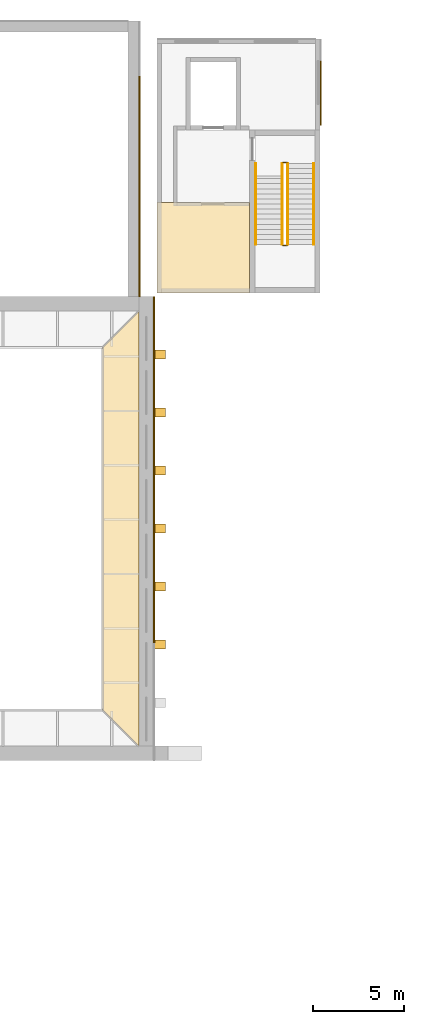
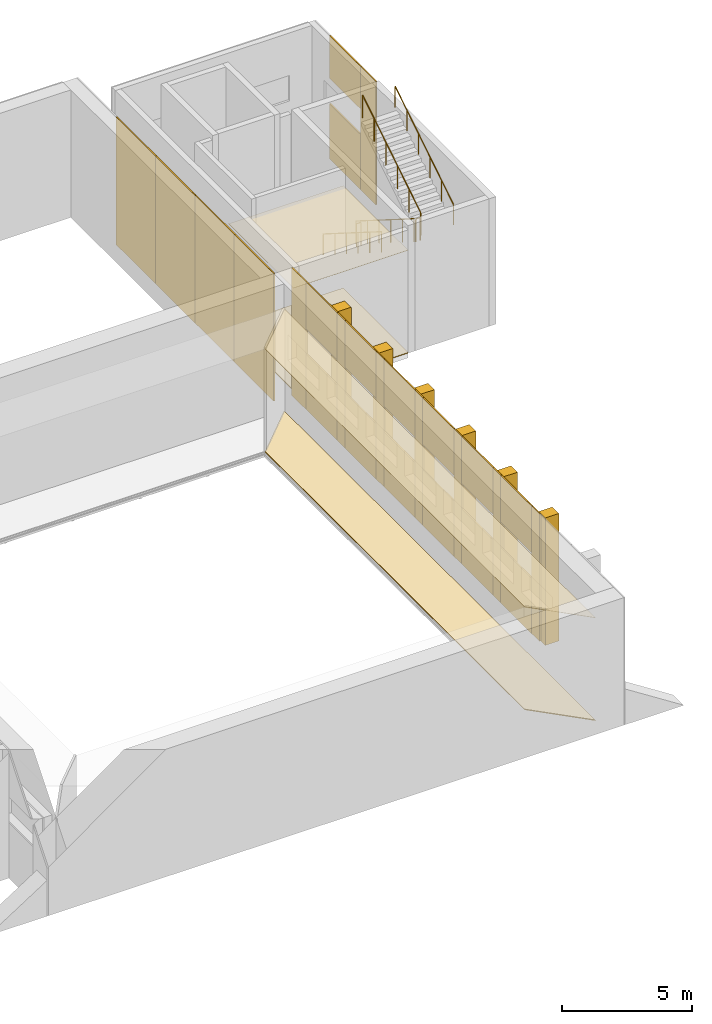
# One storey, part 21 of 22: 36 coverings, 6 railings.
"""IFC4 building model written with IfcOpenShell, lengths in metres."""

from ifc_helpers import new_model, si_unit, direction, frame, origin, origin_2d, place, context, subcontext, project, spatial, polyline, rectangle, circle, outline, extrude, material, layer, layer_set, type_object, element, save


model = new_model("IFC4")

# Units and contexts
model_context = context("Model", 3, precision=1e-05, world=origin(), true_north=direction((0.0, 1.0)))
body_context = subcontext(model_context, "Body", "Model", "MODEL_VIEW")
ifc_project = project(units=[si_unit("LENGTHUNIT", "METRE"), si_unit("AREAUNIT", "SQUARE_METRE"), si_unit("VOLUMEUNIT", "CUBIC_METRE"), si_unit("PLANEANGLEUNIT", "RADIAN"), si_unit("MASSUNIT", "GRAM", prefix="KILO")], contexts=[model_context])

# Site, building, storey
site_placement = place(None, origin())
site = spatial("IfcSite", under=ifc_project, at=site_placement, CompositionType="ELEMENT")
building_placement = place(site_placement, origin())
building = spatial("IfcBuilding", under=site, at=building_placement, Name="Lunette Opera House", CompositionType="ELEMENT")
storey_placement = place(building_placement, frame((0.0, 0.0, 28.0)))
storey = spatial("IfcBuildingStorey", under=building, at=storey_placement, Name="L05", CompositionType="ELEMENT", Elevation=28.0)

# Railings
ifc_material_1 = material(Name="Steel S355", Category="steel")
railing_type_1 = type_object("IfcRailingType", Name="STAIR GUARD 1100", PredefinedType="GUARDRAIL", material=ifc_material_1)
railing_1_placement = place(storey_placement, frame((115.89990234375, 128.14990234375, 0.176513671875)))
element("IfcRailing", 1, at=railing_1_placement, inside=storey, type_object=railing_type_1, Name="L05 ST12 stair guard 1", PredefinedType="GUARDRAIL", context=body_context, shape_type="SweptSolid", body=[
    extrude(circle(Radius=0.02392578125, at=origin_2d()), frame((0.0, 0.0, 1.076171875), z_axis=(0.0, -0.845997938375, 0.533186166611), x_axis=(1.0, 0.0, 0.0)), (0.0, 0.0, 1.0), 5.29541015625),
    extrude(circle(Radius=0.02099609375, at=origin_2d()), origin(), (0.0, 0.0, 1.0), 1.052001953125),
    extrude(circle(Radius=0.02099609375, at=origin_2d()), frame((0.0, -0.89599609375, 0.564697265625)), (0.0, 0.0, 1.0), 1.052001953125),
    extrude(circle(Radius=0.02099609375, at=origin_2d()), frame((0.0, -1.7919921875, 1.12939453125)), (0.0, 0.0, 1.0), 1.052001953125),
    extrude(circle(Radius=0.02099609375, at=origin_2d()), frame((0.0, -2.68798828125, 1.694091796875)), (0.0, 0.0, 1.0), 1.052001953125),
    extrude(circle(Radius=0.02099609375, at=origin_2d()), frame((0.0, -3.583984375, 2.2587890625)), (0.0, 0.0, 1.0), 1.052001953125),
    extrude(circle(Radius=0.02099609375, at=origin_2d()), frame((0.0, -4.47998046875, 2.823486328125)), (0.0, 0.0, 1.0), 1.052001953125),
])
railing_2_placement = place(storey_placement, frame((115.949951171875, 123.6201171875, 3.0)))
element("IfcRailing", 2, at=railing_2_placement, inside=storey, type_object=railing_type_1, Name="L05 ST12 stair guard 2", PredefinedType="GUARDRAIL", context=body_context, shape_type="SweptSolid", body=[
    extrude(circle(Radius=0.02392578125, at=origin_2d()), frame((0.0, 0.0, 1.076171875), z_axis=(1.0, 0.0, 0.0), x_axis=(0.0, 1.0, 0.0)), (0.0, 0.0, 1.0), 0.199951171875),
    extrude(circle(Radius=0.02099609375, at=origin_2d()), origin(), (0.0, 0.0, 1.0), 1.052001953125),
    extrude(circle(Radius=0.02099609375, at=origin_2d()), frame((0.199951171875, 0.0, 0.0)), (0.0, 0.0, 1.0), 1.052001953125),
])
railing_3_placement = place(storey_placement, frame((116.199951171875, 123.669921875, 3.176513671875)))
element("IfcRailing", 3, at=railing_3_placement, inside=storey, type_object=railing_type_1, Name="L05 ST12 stair guard 3", PredefinedType="GUARDRAIL", context=body_context, shape_type="SweptSolid", body=[
    extrude(circle(Radius=0.02392578125, at=origin_2d()), frame((0.0, 0.0, 1.076171875), z_axis=(0.0, 0.845997938375, 0.533186166611), x_axis=(-1.0, 0.0, 0.0)), (0.0, 0.0, 1.0), 5.29541015625),
    extrude(circle(Radius=0.02099609375, at=origin_2d()), origin(), (0.0, 0.0, 1.0), 1.052001953125),
    extrude(circle(Radius=0.02099609375, at=origin_2d()), frame((0.0, 0.89599609375, 0.564697265625)), (0.0, 0.0, 1.0), 1.052001953125),
    extrude(circle(Radius=0.02099609375, at=origin_2d()), frame((0.0, 1.7919921875, 1.12939453125)), (0.0, 0.0, 1.0), 1.052001953125),
    extrude(circle(Radius=0.02099609375, at=origin_2d()), frame((0.0, 2.68798828125, 1.694091796875)), (0.0, 0.0, 1.0), 1.052001953125),
    extrude(circle(Radius=0.02099609375, at=origin_2d()), frame((0.0, 3.583984375, 2.2587890625)), (0.0, 0.0, 1.0), 1.052001953125),
    extrude(circle(Radius=0.02099609375, at=origin_2d()), frame((0.0, 4.47998046875, 2.823486328125)), (0.0, 0.0, 1.0), 1.052001953125),
])
railing_4_placement = place(storey_placement, frame((115.949951171875, 128.199951171875, 0.0)))
element("IfcRailing", 4, at=railing_4_placement, inside=storey, type_object=railing_type_1, Name="L05 ST12 stair guard 4", PredefinedType="GUARDRAIL", context=body_context, shape_type="SweptSolid", body=[
    extrude(circle(Radius=0.02392578125, at=origin_2d()), frame((0.0, 0.0, 1.076171875), z_axis=(1.0, 0.0, 0.0), x_axis=(0.0, 1.0, 0.0)), (0.0, 0.0, 1.0), 0.199951171875),
    extrude(circle(Radius=0.02099609375, at=origin_2d()), origin(), (0.0, 0.0, 1.0), 1.052001953125),
    extrude(circle(Radius=0.02099609375, at=origin_2d()), frame((0.199951171875, 0.0, 0.0)), (0.0, 0.0, 1.0), 1.052001953125),
])
ifc_material_2 = material(Name="Steel S355", Category="steel")
railing_type_2 = type_object("IfcRailingType", Name="STAIR HANDRAIL 1000", PredefinedType="HANDRAIL", material=ifc_material_2)
railing_5_placement = place(storey_placement, frame((114.449951171875, 128.14990234375, 0.176513671875)))
element("IfcRailing", 5, at=railing_5_placement, inside=storey, type_object=railing_type_2, Name="L05 ST12 stair handrail 1", PredefinedType="HANDRAIL", context=body_context, shape_type="SweptSolid", body=[
    extrude(circle(Radius=0.02392578125, at=origin_2d()), frame((0.0, 0.0, 0.97607421875), z_axis=(0.0, -0.845997938375, 0.533186166611), x_axis=(1.0, 0.0, 0.0)), (0.0, 0.0, 1.0), 5.29541015625),
    extrude(circle(Radius=0.02099609375, at=origin_2d()), origin(), (0.0, 0.0, 1.0), 0.951904296875),
    extrude(circle(Radius=0.02099609375, at=origin_2d()), frame((0.0, -0.89599609375, 0.564697265625)), (0.0, 0.0, 1.0), 0.951904296875),
    extrude(circle(Radius=0.02099609375, at=origin_2d()), frame((0.0, -1.7919921875, 1.12939453125)), (0.0, 0.0, 1.0), 0.951904296875),
    extrude(circle(Radius=0.02099609375, at=origin_2d()), frame((0.0, -2.68798828125, 1.694091796875)), (0.0, 0.0, 1.0), 0.951904296875),
    extrude(circle(Radius=0.02099609375, at=origin_2d()), frame((0.0, -3.583984375, 2.2587890625)), (0.0, 0.0, 1.0), 0.951904296875),
    extrude(circle(Radius=0.02099609375, at=origin_2d()), frame((0.0, -4.47998046875, 2.823486328125)), (0.0, 0.0, 1.0), 0.951904296875),
])
railing_6_placement = place(storey_placement, frame((117.64990234375, 123.669921875, 3.176513671875)))
element("IfcRailing", 6, at=railing_6_placement, inside=storey, type_object=railing_type_2, Name="L05 ST12 stair handrail 2", PredefinedType="HANDRAIL", context=body_context, shape_type="SweptSolid", body=[
    extrude(circle(Radius=0.02392578125, at=origin_2d()), frame((0.0, 0.0, 0.97607421875), z_axis=(0.0, 0.845997938375, 0.533186166611), x_axis=(-1.0, 0.0, 0.0)), (0.0, 0.0, 1.0), 5.29541015625),
    extrude(circle(Radius=0.02099609375, at=origin_2d()), origin(), (0.0, 0.0, 1.0), 0.951904296875),
    extrude(circle(Radius=0.02099609375, at=origin_2d()), frame((0.0, 0.89599609375, 0.564697265625)), (0.0, 0.0, 1.0), 0.951904296875),
    extrude(circle(Radius=0.02099609375, at=origin_2d()), frame((0.0, 1.7919921875, 1.12939453125)), (0.0, 0.0, 1.0), 0.951904296875),
    extrude(circle(Radius=0.02099609375, at=origin_2d()), frame((0.0, 2.68798828125, 1.694091796875)), (0.0, 0.0, 1.0), 0.951904296875),
    extrude(circle(Radius=0.02099609375, at=origin_2d()), frame((0.0, 3.583984375, 2.2587890625)), (0.0, 0.0, 1.0), 0.951904296875),
    extrude(circle(Radius=0.02099609375, at=origin_2d()), frame((0.0, 4.47998046875, 2.823486328125)), (0.0, 0.0, 1.0), 0.951904296875),
])

# Coverings
ifc_material_3 = material(Name="Aluminium standing seam cladding", Category="aluminium")
ifc_layer_1 = layer(ifc_material_3, 0.06005859375)
ifc_layer_set_1 = layer_set([ifc_layer_1], Name="Aluminium standing seam cladding")
covering_type_1 = type_object("IfcCoveringType", Name="STANDING SEAM CLADDING 60", PredefinedType="CLADDING", material=ifc_layer_set_1)
covering_1_placement = place(storey_placement, frame((108.830078125, 102.0, 0.0), z_axis=(0.0, 0.0, 1.0), x_axis=(0.0, 1.0, 0.0)))
element("IfcCovering", 7, at=covering_1_placement, inside=storey, type_object=covering_type_1, Name="Standing seam cladding WE L05 40", PredefinedType="CLADDING", context=body_context, shape_type="SweptSolid", body=[
    extrude(rectangle(XDim=0.60009765625, YDim=0.06005859375, at=origin_2d()), origin(), (0.0, 0.0, 1.0), 6.0),
])
covering_2_placement = place(storey_placement, frame((108.830078125, 103.5, 0.0), z_axis=(0.0, 0.0, 1.0), x_axis=(0.0, 1.0, 0.0)))
element("IfcCovering", 8, at=covering_2_placement, inside=storey, type_object=covering_type_1, Name="Standing seam cladding WE L05 50", PredefinedType="CLADDING", context=body_context, shape_type="SweptSolid", body=[
    extrude(rectangle(XDim=2.39990234375, YDim=0.06005859375, at=origin_2d()), origin(), (0.0, 0.0, 1.0), 2.60009765625),
])
covering_3_placement = place(storey_placement, frame((108.830078125, 103.5, 3.7998046875), z_axis=(0.0, 0.0, 1.0), x_axis=(0.0, 1.0, 0.0)))
element("IfcCovering", 9, at=covering_3_placement, inside=storey, type_object=covering_type_1, Name="Standing seam cladding WE L05 51", PredefinedType="CLADDING", context=body_context, shape_type="SweptSolid", body=[
    extrude(rectangle(XDim=2.39990234375, YDim=0.06005859375, at=origin_2d()), origin(), (0.0, 0.0, 1.0), 2.199951171875),
])
covering_4_placement = place(storey_placement, frame((108.830078125, 105.0, 0.0), z_axis=(0.0, 0.0, 1.0), x_axis=(0.0, 1.0, 0.0)))
element("IfcCovering", 10, at=covering_4_placement, inside=storey, type_object=covering_type_1, Name="Standing seam cladding WE L05 60", PredefinedType="CLADDING", context=body_context, shape_type="SweptSolid", body=[
    extrude(rectangle(XDim=0.60009765625, YDim=0.06005859375, at=origin_2d()), origin(), (0.0, 0.0, 1.0), 6.0),
])
covering_5_placement = place(storey_placement, frame((108.830078125, 106.5, 0.0), z_axis=(0.0, 0.0, 1.0), x_axis=(0.0, 1.0, 0.0)))
element("IfcCovering", 11, at=covering_5_placement, inside=storey, type_object=covering_type_1, Name="Standing seam cladding WE L05 70", PredefinedType="CLADDING", context=body_context, shape_type="SweptSolid", body=[
    extrude(rectangle(XDim=2.39990234375, YDim=0.06005859375, at=origin_2d()), origin(), (0.0, 0.0, 1.0), 2.60009765625),
])
covering_6_placement = place(storey_placement, frame((108.830078125, 106.5, 3.7998046875), z_axis=(0.0, 0.0, 1.0), x_axis=(0.0, 1.0, 0.0)))
element("IfcCovering", 12, at=covering_6_placement, inside=storey, type_object=covering_type_1, Name="Standing seam cladding WE L05 71", PredefinedType="CLADDING", context=body_context, shape_type="SweptSolid", body=[
    extrude(rectangle(XDim=2.39990234375, YDim=0.06005859375, at=origin_2d()), origin(), (0.0, 0.0, 1.0), 2.199951171875),
])
covering_7_placement = place(storey_placement, frame((108.830078125, 108.0, 0.0), z_axis=(0.0, 0.0, 1.0), x_axis=(0.0, 1.0, 0.0)))
element("IfcCovering", 13, at=covering_7_placement, inside=storey, type_object=covering_type_1, Name="Standing seam cladding WE L05 80", PredefinedType="CLADDING", context=body_context, shape_type="SweptSolid", body=[
    extrude(rectangle(XDim=0.60009765625, YDim=0.06005859375, at=origin_2d()), origin(), (0.0, 0.0, 1.0), 6.0),
])
covering_8_placement = place(storey_placement, frame((108.830078125, 109.5, 0.0), z_axis=(0.0, 0.0, 1.0), x_axis=(0.0, 1.0, 0.0)))
element("IfcCovering", 14, at=covering_8_placement, inside=storey, type_object=covering_type_1, Name="Standing seam cladding WE L05 90", PredefinedType="CLADDING", context=body_context, shape_type="SweptSolid", body=[
    extrude(rectangle(XDim=2.39990234375, YDim=0.06005859375, at=origin_2d()), origin(), (0.0, 0.0, 1.0), 2.60009765625),
])
covering_9_placement = place(storey_placement, frame((108.830078125, 109.5, 3.7998046875), z_axis=(0.0, 0.0, 1.0), x_axis=(0.0, 1.0, 0.0)))
element("IfcCovering", 15, at=covering_9_placement, inside=storey, type_object=covering_type_1, Name="Standing seam cladding WE L05 91", PredefinedType="CLADDING", context=body_context, shape_type="SweptSolid", body=[
    extrude(rectangle(XDim=2.39990234375, YDim=0.06005859375, at=origin_2d()), origin(), (0.0, 0.0, 1.0), 2.199951171875),
])
covering_10_placement = place(storey_placement, frame((108.830078125, 111.0, 0.0), z_axis=(0.0, 0.0, 1.0), x_axis=(0.0, 1.0, 0.0)))
element("IfcCovering", 16, at=covering_10_placement, inside=storey, type_object=covering_type_1, Name="Standing seam cladding WE L05 100", PredefinedType="CLADDING", context=body_context, shape_type="SweptSolid", body=[
    extrude(rectangle(XDim=0.60009765625, YDim=0.06005859375, at=origin_2d()), origin(), (0.0, 0.0, 1.0), 6.0),
])
covering_11_placement = place(storey_placement, frame((108.830078125, 112.5, 0.0), z_axis=(0.0, 0.0, 1.0), x_axis=(0.0, 1.0, 0.0)))
element("IfcCovering", 17, at=covering_11_placement, inside=storey, type_object=covering_type_1, Name="Standing seam cladding WE L05 110", PredefinedType="CLADDING", context=body_context, shape_type="SweptSolid", body=[
    extrude(rectangle(XDim=2.39990234375, YDim=0.06005859375, at=origin_2d()), origin(), (0.0, 0.0, 1.0), 2.60009765625),
])
covering_12_placement = place(storey_placement, frame((108.830078125, 112.5, 3.7998046875), z_axis=(0.0, 0.0, 1.0), x_axis=(0.0, 1.0, 0.0)))
element("IfcCovering", 18, at=covering_12_placement, inside=storey, type_object=covering_type_1, Name="Standing seam cladding WE L05 111", PredefinedType="CLADDING", context=body_context, shape_type="SweptSolid", body=[
    extrude(rectangle(XDim=2.39990234375, YDim=0.06005859375, at=origin_2d()), origin(), (0.0, 0.0, 1.0), 2.199951171875),
])
covering_13_placement = place(storey_placement, frame((108.830078125, 114.0, 0.0), z_axis=(0.0, 0.0, 1.0), x_axis=(0.0, 1.0, 0.0)))
element("IfcCovering", 19, at=covering_13_placement, inside=storey, type_object=covering_type_1, Name="Standing seam cladding WE L05 120", PredefinedType="CLADDING", context=body_context, shape_type="SweptSolid", body=[
    extrude(rectangle(XDim=0.60009765625, YDim=0.06005859375, at=origin_2d()), origin(), (0.0, 0.0, 1.0), 6.0),
])
covering_14_placement = place(storey_placement, frame((108.830078125, 115.5, 0.0), z_axis=(0.0, 0.0, 1.0), x_axis=(0.0, 1.0, 0.0)))
element("IfcCovering", 20, at=covering_14_placement, inside=storey, type_object=covering_type_1, Name="Standing seam cladding WE L05 130", PredefinedType="CLADDING", context=body_context, shape_type="SweptSolid", body=[
    extrude(rectangle(XDim=2.39990234375, YDim=0.06005859375, at=origin_2d()), origin(), (0.0, 0.0, 1.0), 2.60009765625),
])
covering_15_placement = place(storey_placement, frame((108.830078125, 115.5, 3.7998046875), z_axis=(0.0, 0.0, 1.0), x_axis=(0.0, 1.0, 0.0)))
element("IfcCovering", 21, at=covering_15_placement, inside=storey, type_object=covering_type_1, Name="Standing seam cladding WE L05 131", PredefinedType="CLADDING", context=body_context, shape_type="SweptSolid", body=[
    extrude(rectangle(XDim=2.39990234375, YDim=0.06005859375, at=origin_2d()), origin(), (0.0, 0.0, 1.0), 2.199951171875),
])
covering_16_placement = place(storey_placement, frame((108.830078125, 117.0, 0.0), z_axis=(0.0, 0.0, 1.0), x_axis=(0.0, 1.0, 0.0)))
element("IfcCovering", 22, at=covering_16_placement, inside=storey, type_object=covering_type_1, Name="Standing seam cladding WE L05 140", PredefinedType="CLADDING", context=body_context, shape_type="SweptSolid", body=[
    extrude(rectangle(XDim=0.60009765625, YDim=0.06005859375, at=origin_2d()), origin(), (0.0, 0.0, 1.0), 6.0),
])
covering_17_placement = place(storey_placement, frame((108.830078125, 118.5, 0.0), z_axis=(0.0, 0.0, 1.0), x_axis=(0.0, 1.0, 0.0)))
element("IfcCovering", 23, at=covering_17_placement, inside=storey, type_object=covering_type_1, Name="Standing seam cladding WE L05 150", PredefinedType="CLADDING", context=body_context, shape_type="SweptSolid", body=[
    extrude(rectangle(XDim=2.39990234375, YDim=0.06005859375, at=origin_2d()), origin(), (0.0, 0.0, 1.0), 2.60009765625),
])
covering_18_placement = place(storey_placement, frame((108.830078125, 118.5, 3.7998046875), z_axis=(0.0, 0.0, 1.0), x_axis=(0.0, 1.0, 0.0)))
element("IfcCovering", 24, at=covering_18_placement, inside=storey, type_object=covering_type_1, Name="Standing seam cladding WE L05 151", PredefinedType="CLADDING", context=body_context, shape_type="SweptSolid", body=[
    extrude(rectangle(XDim=2.39990234375, YDim=0.06005859375, at=origin_2d()), origin(), (0.0, 0.0, 1.0), 2.199951171875),
])
covering_19_placement = place(storey_placement, frame((108.830078125, 120.25, 0.0), z_axis=(0.0, 0.0, 1.0), x_axis=(0.0, 1.0, 0.0)))
element("IfcCovering", 25, at=covering_19_placement, inside=storey, type_object=covering_type_1, Name="Standing seam cladding WE L05 160", PredefinedType="CLADDING", context=body_context, shape_type="SweptSolid", body=[
    extrude(rectangle(XDim=1.10009765625, YDim=0.06005859375, at=origin_2d()), origin(), (0.0, 0.0, 1.0), 6.0),
])
for number, where, z_axis, x_axis, name in (
    (26, (108.030029296875, 122.320068359375, 0.0), (0.0, 0.0, 1.0), (0.0, 1.0, 0.0), "Standing seam cladding SR-E-1 L05 00"),
    (27, (108.030029296875, 125.360107421875, 0.0), (0.0, 0.0, 1.0), (0.0, 1.0, 0.0), "Standing seam cladding SR-E-1 L05 01"),
    (28, (108.030029296875, 128.39990234375, 0.0), (0.0, 0.0, 1.0), (0.0, 1.0, 0.0), "Standing seam cladding SR-E-1 L05 02"),
    (29, (108.030029296875, 131.43994140625, 0.0), (0.0, 0.0, 1.0), (0.0, 1.0, 0.0), "Standing seam cladding SR-E-1 L05 03"),
):
    element("IfcCovering", number, at=place(storey_placement, frame(where, z_axis=z_axis, x_axis=x_axis)), inside=storey, type_object=covering_type_1, Name=name, PredefinedType="CLADDING", context=body_context, shape_type="SweptSolid", body=[
        extrude(rectangle(XDim=3.0400390625, YDim=0.06005859375, at=origin_2d()), origin(), (0.0, 0.0, 1.0), 6.0),
    ])
covering_20_placement = place(storey_placement, frame((118.030029296875, 130.837890625, 0.0), z_axis=(0.0, 0.0, 1.0), x_axis=(0.0, 1.0, 0.0)))
element("IfcCovering", 30, at=covering_20_placement, inside=storey, type_object=covering_type_1, Name="Standing seam cladding TE47 L05 00", PredefinedType="CLADDING", context=body_context, shape_type="SweptSolid", body=[
    extrude(rectangle(XDim=1.175048828125, YDim=0.06005859375, at=origin_2d()), origin(), (0.0, 0.0, 1.0), 5.800048828125),
])
covering_21_placement = place(storey_placement, frame((118.030029296875, 132.625, 0.0), z_axis=(0.0, 0.0, 1.0), x_axis=(0.0, 1.0, 0.0)))
element("IfcCovering", 31, at=covering_21_placement, inside=storey, type_object=covering_type_1, Name="Standing seam cladding TE47 L05 10", PredefinedType="CLADDING", context=body_context, shape_type="SweptSolid", body=[
    extrude(rectangle(XDim=2.39990234375, YDim=0.06005859375, at=origin_2d()), origin(), (0.0, 0.0, 1.0), 2.60009765625),
])
covering_22_placement = place(storey_placement, frame((118.030029296875, 132.625, 3.800048828125), z_axis=(0.0, 0.0, 1.0), x_axis=(0.0, 1.0, 0.0)))
element("IfcCovering", 32, at=covering_22_placement, inside=storey, type_object=covering_type_1, Name="Standing seam cladding TE47 L05 11", PredefinedType="CLADDING", context=body_context, shape_type="SweptSolid", body=[
    extrude(rectangle(XDim=2.39990234375, YDim=0.06005859375, at=origin_2d()), origin(), (0.0, 0.0, 1.0), 2.0),
])
ifc_material_4 = material(Name="Mineral fibre board")
ifc_layer_2 = layer(ifc_material_4, 0.014892578125)
ifc_layer_set_2 = layer_set([ifc_layer_2], Name="Mineral fibre board")
covering_type_2 = type_object("IfcCoveringType", Name="SUSPENDED ACOUSTIC CEILING 15", PredefinedType="CEILING", material=ifc_layer_set_2)
covering_23_placement = place(storey_placement, frame((0.0, 0.0, 4.8349609375)))
element("IfcCovering", 33, at=covering_23_placement, inside=storey, type_object=covering_type_2, Name="Ceiling Fly Gallery 28 East", PredefinedType="CEILING", context=body_context, shape_type="SweptSolid", body=[
    extrude(outline(polyline([(106.0, 98.0), (106.0, 118.0), (108.0, 120.0), (108.0, 96.0), (106.0, 98.0)])), origin(), (0.0, 0.0, 1.0), 0.01513671875),
])
covering_24_placement = place(storey_placement, frame((0.0, 0.0, 4.8349609375)))
element("IfcCovering", 34, at=covering_24_placement, inside=storey, type_object=covering_type_2, Name="Ceiling Sound Control Room", PredefinedType="CEILING", context=body_context, shape_type="SweptSolid", body=[
    extrude(outline(polyline([(109.0, 126.0), (114.10009765625, 126.0), (114.10009765625, 121.0), (109.0, 121.0), (109.0, 126.0)])), origin(), (0.0, 0.0, 1.0), 0.01513671875),
])
ifc_material_5 = material(Name="Timber", Category="wood")
ifc_layer_3 = layer(ifc_material_5, 0.0400390625)
ifc_layer_set_3 = layer_set([ifc_layer_3], Name="Timber")
covering_type_3 = type_object("IfcCoveringType", Name="TIMBER FLOOR FINISH 40", PredefinedType="FLOORING", material=ifc_layer_set_3)
covering_25_placement = place(storey_placement, origin())
element("IfcCovering", 35, at=covering_25_placement, inside=storey, type_object=covering_type_3, Name="Floor finish Fly Gallery 28 East", PredefinedType="FLOORING", context=body_context, shape_type="SweptSolid", body=[
    extrude(outline(polyline([(106.0, 98.0), (106.0, 118.0), (108.0, 120.0), (108.0, 96.0), (106.0, 98.0)])), origin(), (0.0, 0.0, 1.0), 0.0400390625),
])
covering_26_placement = place(storey_placement, origin())
element("IfcCovering", 36, at=covering_26_placement, inside=storey, type_object=covering_type_3, Name="Floor finish Sound Control Room", PredefinedType="FLOORING", context=body_context, shape_type="SweptSolid", body=[
    extrude(outline(polyline([(109.0, 126.0), (114.10009765625, 126.0), (114.10009765625, 121.0), (109.0, 121.0), (109.0, 126.0)])), origin(), (0.0, 0.0, 1.0), 0.0400390625),
])
ifc_material_6 = material(Name="Weathering steel plate", Category="steel")
ifc_layer_4 = layer(ifc_material_6, 0.60009765625)
ifc_layer_set_4 = layer_set([ifc_layer_4], Name="Weathering steel plate")
covering_type_4 = type_object("IfcCoveringType", Name="TOWER RIB 500 X 600", PredefinedType="CLADDING", material=ifc_layer_set_4)
for number, where, z_axis, x_axis, name in (
    (37, (109.159912109375, 101.60009765625, 0.0), (0.0, 0.0, 1.0), (0.0, 1.0, 0.0), "Tower rib WE L05 2"),
    (38, (109.159912109375, 104.800048828125, 0.0), (0.0, 0.0, 1.0), (0.0, 1.0, 0.0), "Tower rib WE L05 3"),
    (39, (109.159912109375, 108.0, 0.0), (0.0, 0.0, 1.0), (0.0, 1.0, 0.0), "Tower rib WE L05 4"),
    (40, (109.159912109375, 111.199951171875, 0.0), (0.0, 0.0, 1.0), (0.0, 1.0, 0.0), "Tower rib WE L05 5"),
    (41, (109.159912109375, 114.39990234375, 0.0), (0.0, 0.0, 1.0), (0.0, 1.0, 0.0), "Tower rib WE L05 6"),
    (42, (109.159912109375, 117.60009765625, 0.0), (0.0, 0.0, 1.0), (0.0, 1.0, 0.0), "Tower rib WE L05 7"),
):
    element("IfcCovering", number, at=place(storey_placement, frame(where, z_axis=z_axis, x_axis=x_axis)), inside=storey, type_object=covering_type_4, Name=name, PredefinedType="CLADDING", context=body_context, shape_type="SweptSolid", body=[
        extrude(rectangle(XDim=0.5, YDim=0.60009765625, at=origin_2d()), origin(), (0.0, 0.0, 1.0), 6.0),
    ])

save(model, "model.ifc")
